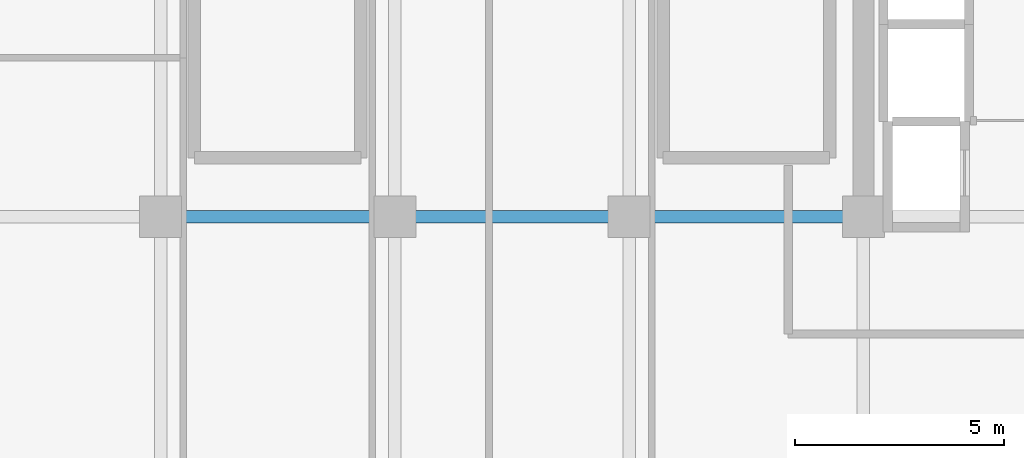
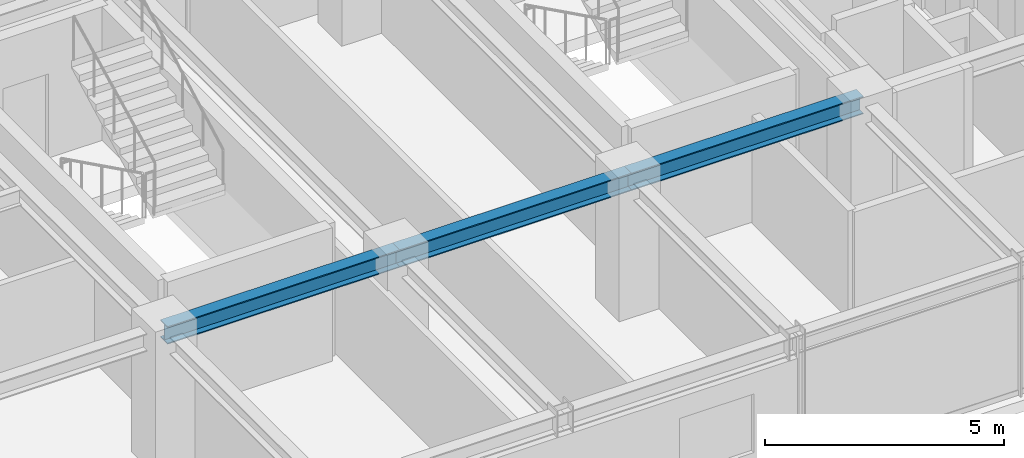
# One storey, part 7 of 36: 3 beams.
"""IFC4 building model written with IfcOpenShell, lengths in metres."""

from ifc_helpers import new_model, si_unit, direction, frame, origin, origin_2d, place, context, subcontext, project, spatial, i_section, extrude, source, transform, mapped, material, material_profile, profile_set, type_object, element, save


model = new_model("IFC4")

# Units and contexts
model_context = context("Model", 3, precision=1e-05, world=origin(), true_north=direction((0.0, 1.0)))
body_context = subcontext(model_context, "Body", "Model", "MODEL_VIEW")
ifc_project = project(units=[si_unit("LENGTHUNIT", "METRE"), si_unit("AREAUNIT", "SQUARE_METRE"), si_unit("VOLUMEUNIT", "CUBIC_METRE"), si_unit("PLANEANGLEUNIT", "RADIAN"), si_unit("MASSUNIT", "GRAM", prefix="KILO")], contexts=[model_context])

# Site, building, storey
site_placement = place(None, origin())
site = spatial("IfcSite", under=ifc_project, at=site_placement, CompositionType="ELEMENT")
building_placement = place(site_placement, origin())
building = spatial("IfcBuilding", under=site, at=building_placement, Name="Nahalor Promenade Grand Hotel", CompositionType="ELEMENT")
storey_placement = place(building_placement, frame((0.0, 0.0, 253.0)))
storey = spatial("IfcBuildingStorey", under=building, at=storey_placement, Name="L65", CompositionType="ELEMENT", Elevation=253.0)

# Beams
ifc_material = material(Name="Steel S355JR", Category="steel")
ifc_material_profile = material_profile(ifc_material, i_section(OverallWidth=0.3, OverallDepth=0.45, WebThickness=0.014, FlangeThickness=0.026, at=origin_2d()), Name="HEB 450")
ifc_profile_set = profile_set([ifc_material_profile], Name="Steel S355JR")
beam_type = type_object("IfcBeamType", Name="Beam-Girder-HEB450", PredefinedType="BEAM", material=ifc_profile_set)
shared_shape_1 = source(origin(), body_context, "Body", "SweptSolid", [
    extrude(i_section(OverallWidth=0.3, OverallDepth=0.45, WebThickness=0.014, FlangeThickness=0.026, at=origin_2d()), origin(), (0.0, 0.0, 1.0), 5.599853515625),
])
for number, where, z_axis, x_axis, name in (
    (1, (-8.39990234375, -17.0, 3.18505859375), (1.0, 0.0, 0.0), (0.0, 1.0, 0.0), "BM-L65-GX-0-2"),
    (2, (2.800048828125, -17.0, 3.18505859375), (1.0, 0.0, 0.0), (0.0, 1.0, 0.0), "BM-L65-GX-0-4"),
):
    element("IfcBeam", number, at=place(storey_placement, frame(where, z_axis=z_axis, x_axis=x_axis)), inside=storey, type_object=beam_type, Name=name, PredefinedType="BEAM", context=body_context, shape_type="MappedRepresentation", body=[
        mapped(shared_shape_1, transform((0.0, 0.0, 0.0), scale=1.0)),
    ])
shared_shape_2 = source(origin(), body_context, "Body", "SweptSolid", [
    extrude(i_section(OverallWidth=0.3, OverallDepth=0.45, WebThickness=0.014, FlangeThickness=0.026, at=origin_2d()), origin(), (0.0, 0.0, 1.0), 5.60009765625),
])
beam_placement = place(storey_placement, frame((-2.800048828125, -17.0, 3.18505859375), z_axis=(1.0, 0.0, 0.0), x_axis=(0.0, 1.0, 0.0)))
element("IfcBeam", 3, at=beam_placement, inside=storey, type_object=beam_type, Name="BM-L65-GX-0-3", PredefinedType="BEAM", context=body_context, shape_type="MappedRepresentation", body=[
    mapped(shared_shape_2, transform((0.0, 0.0, 0.0), scale=1.0)),
])

save(model, "model.ifc")
